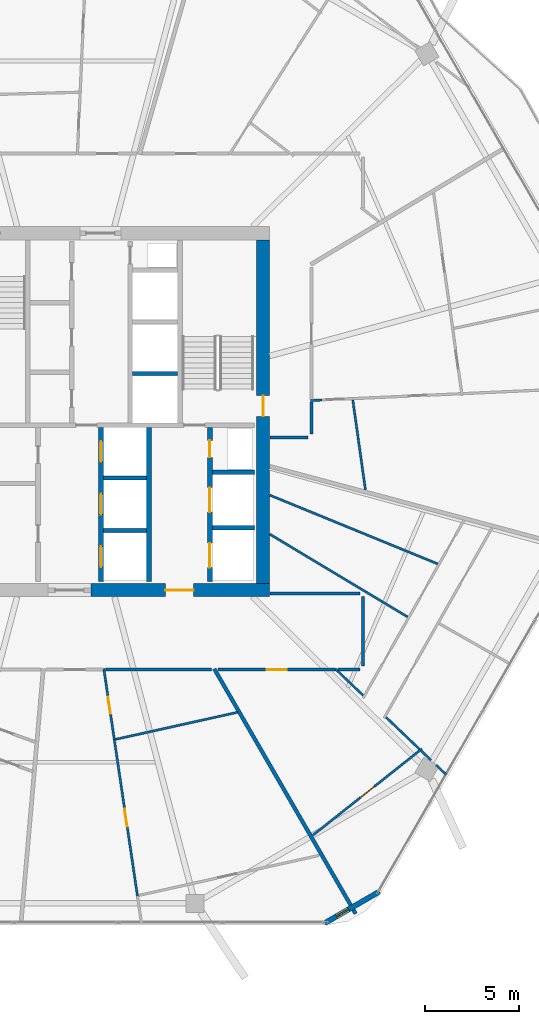
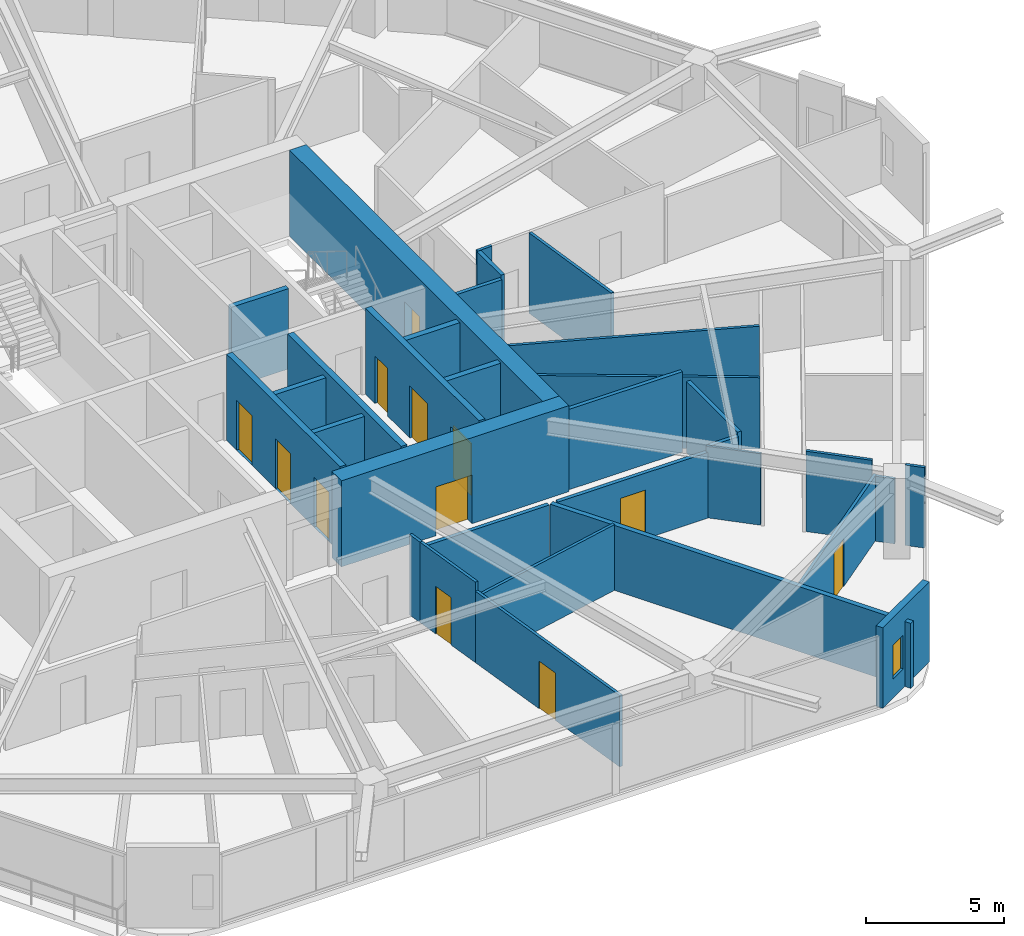
# One storey, part 20 of 26: 32 walls, 12 doors, 1 window, 13 openings.
"""IFC4 building model written with IfcOpenShell, lengths in metres."""

from ifc_helpers import new_model, si_unit, direction, frame, frame_2d, origin, place, context, subcontext, project, spatial, rectangle, extrude, material, layer, layer_set, type_object, element, fill, save


model = new_model("IFC4")

# Units and contexts
model_context = context("Model", 3, precision=1e-05, world=origin(), true_north=direction((0.0, 1.0)))
body_context = subcontext(model_context, "Body", "Model", "MODEL_VIEW")
ifc_project = project(units=[si_unit("LENGTHUNIT", "METRE"), si_unit("AREAUNIT", "SQUARE_METRE"), si_unit("VOLUMEUNIT", "CUBIC_METRE"), si_unit("PLANEANGLEUNIT", "RADIAN"), si_unit("MASSUNIT", "GRAM", prefix="KILO")], contexts=[model_context])

# Site, building, storey
site_placement = place(None, origin())
site = spatial("IfcSite", under=ifc_project, at=site_placement, CompositionType="ELEMENT")
building_placement = place(site_placement, origin())
building = spatial("IfcBuilding", under=site, at=building_placement, Name="Zuhravey Tower", CompositionType="ELEMENT")
storey_placement = place(building_placement, frame((0.0, 0.0, 203.60009765625)))
storey = spatial("IfcBuildingStorey", under=building, at=storey_placement, Name="L51", CompositionType="ELEMENT", Elevation=203.60009765625)

# Wall, opening, door
ifc_material_1 = material(Name="Concrete C60/75", Category="concrete")
ifc_layer_1 = layer(ifc_material_1, 0.699951171875)
ifc_layer_set_1 = layer_set([ifc_layer_1], Name="Concrete C60/75")
wall_type_1 = type_object("IfcWallType", Name="Core Shear Wall 700", PredefinedType="SHEAR", material=ifc_layer_set_1)
wall_1_placement = place(storey_placement, frame((37.35009765625, 22.5, 0.0), z_axis=(0.0, 0.0, 1.0), x_axis=(1.0, 0.0, 0.0)))
wall_1 = element("IfcWall", 1, at=wall_1_placement, inside=storey, type_object=wall_type_1, Name="L51 South-East Core Shear Wall CW70", PredefinedType="SHEAR", context=body_context, shape_type="SweptSolid", body=[
    extrude(rectangle(XDim=9.5, YDim=0.699951171875, at=frame_2d((4.75, 0.0))), origin(), (0.0, 0.0, 1.0), 3.7998046875),
])
opening_1_placement = place(wall_1_placement, frame((3.949951171875, 0.0, 0.0)))
opening_1 = element("IfcOpeningElement", 2, at=opening_1_placement, cuts=wall_1, Name="Opening FFD1", PredefinedType="OPENING", context=body_context, shape_type="SweptSolid", body=[
    extrude(rectangle(XDim=1.5, YDim=2.14990234375, at=frame_2d((0.75, 1.074951171875))), frame((0.0, 0.362060546875, 0.0), z_axis=(0.0, -1.0, 0.0), x_axis=(1.0, 0.0, 0.0)), (0.0, 0.0, 1.0), 0.723876953125),
])
ifc_material_2 = material(Name="Galvanised fire-rated steel leaf", Category="steel")
door_type_1 = type_object("IfcDoorType", Name="Firefighting Lobby Double Door 1500x2150", OperationType="DOUBLE_DOOR_SINGLE_SWING", PredefinedType="DOOR", material=ifc_material_2)
door_1_placement = place(opening_1_placement, origin())
door_1 = element("IfcDoor", 3, at=door_1_placement, inside=storey, type_object=door_type_1, Name="L51 Firefighting Lobby East Door", OperationType="DOUBLE_DOOR_SINGLE_SWING", OverallHeight=2.14990234375, OverallWidth=1.5, PredefinedType="DOOR", context=body_context, shape_type="SweptSolid", body=[
    extrude(rectangle(XDim=1.5, YDim=2.14990234375, at=frame_2d((0.75, 1.074951171875))), frame((0.0, 0.02490234375, 0.0), z_axis=(0.0, -1.0, 0.0), x_axis=(1.0, 0.0, 0.0)), (0.0, 0.0, 1.0), 0.050048828125),
])
fill(opening_1, door_1)

wall_2_placement = place(storey_placement, frame((46.5, 22.85009765625, 0.0), z_axis=(0.0, 0.0, 1.0), x_axis=(0.0, 1.0, 0.0)))
wall_2 = element("IfcWall", 4, at=wall_2_placement, inside=storey, type_object=wall_type_1, Name="L51 East Core Shear Wall CW70", PredefinedType="SHEAR", context=body_context, shape_type="SweptSolid", body=[
    extrude(rectangle(XDim=18.2998046875, YDim=0.699951171875, at=frame_2d((9.14990234375, 0.0))), origin(), (0.0, 0.0, 1.0), 3.7998046875),
])
opening_2_placement = place(wall_2_placement, frame((8.89990234375, 0.0, 0.0)))
opening_2 = element("IfcOpeningElement", 5, at=opening_2_placement, cuts=wall_2, Name="Opening STD1", PredefinedType="OPENING", context=body_context, shape_type="SweptSolid", body=[
    extrude(rectangle(XDim=1.10009765625, YDim=2.14990234375, at=frame_2d((0.550048828125, 1.074951171875))), frame((0.0, 0.362060546875, 0.0), z_axis=(0.0, -1.0, 0.0), x_axis=(1.0, 0.0, 0.0)), (0.0, 0.0, 1.0), 0.723876953125),
])
door_type_2 = type_object("IfcDoorType", Name="Protected Stair Fire Door 1100x2150", OperationType="NOTDEFINED", PredefinedType="USERDEFINED", material=ifc_material_2)
door_2_placement = place(opening_2_placement, origin())
door_2 = element("IfcDoor", 6, at=door_2_placement, inside=storey, type_object=door_type_2, Name="L51 Stair ST2 Door", ObjectType="EXITDOOR", OperationType="SINGLE_SWING_LEFT", OverallHeight=2.14990234375, OverallWidth=1.10009765625, PredefinedType="USERDEFINED", context=body_context, shape_type="SweptSolid", body=[
    extrude(rectangle(XDim=1.10009765625, YDim=2.14990234375, at=frame_2d((0.550048828125, 1.074951171875))), frame((0.0, 0.02490234375, 0.0), z_axis=(0.0, -1.0, 0.0), x_axis=(1.0, 0.0, 0.0)), (0.0, 0.0, 1.0), 0.050048828125),
])
fill(opening_2, door_2)

ifc_material_3 = material(Name="Gypsum fire-rated stud partition")
ifc_layer_2 = layer(ifc_material_3, 0.159912109375)
ifc_layer_set_2 = layer_set([ifc_layer_2], Name="Gypsum fire-rated stud partition")
wall_type_2 = type_object("IfcWallType", Name="Corridor Fire Partition 160", PredefinedType="PARTITIONING", material=ifc_layer_set_2)
wall_3_placement = place(storey_placement, frame((44.11083984375, 18.27001953125, 0.0), z_axis=(0.0, 0.0, 1.0), x_axis=(1.0, 0.0, 0.0)))
wall_3 = element("IfcWall", 7, at=wall_3_placement, inside=storey, type_object=wall_type_2, Name="L51 IW16 Partition 050", PredefinedType="PARTITIONING", context=body_context, shape_type="SweptSolid", body=[
    extrude(rectangle(XDim=6.248046875, YDim=0.159912109375, at=frame_2d((3.1240234375, 0.0))), origin(), (0.0, 0.0, 1.0), 2.89990234375),
])
opening_3_placement = place(wall_3_placement, frame((2.59912109375, 0.0, 0.0)))
opening_3 = element("IfcOpeningElement", 8, at=opening_3_placement, cuts=wall_3, Name="Opening APD1", PredefinedType="OPENING", context=body_context, shape_type="SweptSolid", body=[
    extrude(rectangle(XDim=1.050048828125, YDim=2.14990234375, at=frame_2d((0.52490234375, 1.074951171875))), frame((0.0, 0.092041015625, 0.0), z_axis=(0.0, -1.0, 0.0), x_axis=(1.0, 0.0, 0.0)), (0.0, 0.0, 1.0), 0.183837890625),
])
ifc_material_4 = material(Name="Solid-core oak fire-rated leaf")
door_type_3 = type_object("IfcDoorType", Name="Apartment Entrance Fire Door 1050x2150", OperationType="NOTDEFINED", PredefinedType="DOOR", material=ifc_material_4)
door_3_placement = place(opening_3_placement, frame((1.050048828125, 0.0, 0.0), z_axis=(0.0, 0.0, 1.0), x_axis=(-1.0, 0.0, 0.0)))
door_3 = element("IfcDoor", 9, at=door_3_placement, inside=storey, type_object=door_type_3, Name="L51 Door 050.1", OperationType="SINGLE_SWING_RIGHT", OverallHeight=2.14990234375, OverallWidth=1.050048828125, PredefinedType="DOOR", context=body_context, shape_type="SweptSolid", body=[
    extrude(rectangle(XDim=1.050048828125, YDim=2.14990234375, at=frame_2d((0.52490234375, 1.074951171875))), frame((0.0, 0.02490234375, 0.0), z_axis=(0.0, -1.0, 0.0), x_axis=(1.0, 0.0, 0.0)), (0.0, 0.0, 1.0), 0.050048828125),
])
fill(opening_3, door_3)

# Walls
wall_4_placement = place(storey_placement, frame((38.10107421875, 18.27001953125, 0.0), z_axis=(0.0, 0.0, 1.0), x_axis=(1.0, 0.0, 0.0)))
element("IfcWall", 10, at=wall_4_placement, inside=storey, type_object=wall_type_2, Name="L51 IW16 Partition 134", PredefinedType="PARTITIONING", context=body_context, shape_type="SweptSolid", body=[
    extrude(rectangle(XDim=5.64404296875, YDim=0.159912109375, at=frame_2d((2.822021484375, 0.0))), origin(), (0.0, 0.0, 1.0), 2.89990234375),
])
wall_5_placement = place(storey_placement, frame((51.64990234375, 22.330078125, 0.0), z_axis=(0.0, 0.0, 1.0), x_axis=(-1.0, 0.0, 0.0)))
element("IfcWall", 11, at=wall_5_placement, inside=storey, type_object=wall_type_2, Name="L51 IW16 Partition 135", PredefinedType="PARTITIONING", context=body_context, shape_type="SweptSolid", body=[
    extrude(rectangle(XDim=4.77978515625, YDim=0.159912109375, at=frame_2d((2.389892578125, 0.0))), origin(), (0.0, 0.0, 1.0), 3.5498046875),
])
wall_6_placement = place(storey_placement, frame((51.830078125, 18.449951171875, 0.0), z_axis=(0.0, 0.0, 1.0), x_axis=(0.0, 1.0, 0.0)))
element("IfcWall", 12, at=wall_6_placement, inside=storey, type_object=wall_type_2, Name="L51 IW16 Partition 136", PredefinedType="PARTITIONING", context=body_context, shape_type="SweptSolid", body=[
    extrude(rectangle(XDim=3.699951171875, YDim=0.159912109375, at=frame_2d((1.85009765625, 0.0))), origin(), (0.0, 0.0, 1.0), 3.14990234375),
])
wall_7_placement = place(storey_placement, frame((50.486083984375, 18.27001953125, 0.0), z_axis=(0.0, 0.0, 1.0), x_axis=(1.0, 0.0, 0.0)))
element("IfcWall", 13, at=wall_7_placement, inside=storey, type_object=wall_type_2, Name="L51 IW16 Partition 137", PredefinedType="PARTITIONING", context=body_context, shape_type="SweptSolid", body=[
    extrude(rectangle(XDim=1.163818359375, YDim=0.159912109375, at=frame_2d((0.58203125, 0.0))), origin(), (0.0, 0.0, 1.0), 3.14990234375),
])
wall_8_placement = place(storey_placement, frame((46.8701171875, 30.6201171875, 0.0), z_axis=(0.0, 0.0, 1.0), x_axis=(1.0, 0.0, 0.0)))
element("IfcWall", 14, at=wall_8_placement, inside=storey, type_object=wall_type_2, Name="L51 IW16 Partition 138", PredefinedType="PARTITIONING", context=body_context, shape_type="SweptSolid", body=[
    extrude(rectangle(XDim=2.02978515625, YDim=0.159912109375, at=frame_2d((1.014892578125, 0.0))), origin(), (0.0, 0.0, 1.0), 3.5498046875),
])
wall_9_placement = place(storey_placement, frame((49.080078125, 30.800048828125, 0.0), z_axis=(0.0, 0.0, 1.0), x_axis=(0.0, 1.0, 0.0)))
element("IfcWall", 15, at=wall_9_placement, inside=storey, type_object=wall_type_2, Name="L51 IW16 Partition 139", PredefinedType="PARTITIONING", context=body_context, shape_type="SweptSolid", body=[
    extrude(rectangle(XDim=1.725830078125, YDim=0.159912109375, at=frame_2d((0.86279296875, 0.0))), origin(), (0.0, 0.0, 1.0), 3.5498046875),
])

# Wall, opening, window
ifc_material_5 = material(Name="Precast concrete C40/50", Category="concrete")
ifc_layer_3 = layer(ifc_material_5, 0.280029296875)
ifc_layer_set_3 = layer_set([ifc_layer_3], Name="Precast concrete C40/50")
wall_type_3 = type_object("IfcWallType", Name="Crown Architectural Wall 280", PredefinedType="SOLIDWALL", material=ifc_layer_set_3)
wall_10_placement = place(storey_placement, frame((52.693115234375, 6.451904296875, 0.0), z_axis=(0.0, 0.0, 1.0), x_axis=(-0.866020068361, -0.500009241111, 0.0)))
wall_10 = element("IfcWall", 16, at=wall_10_placement, inside=storey, type_object=wall_type_3, Name="L51 Rounded Corner Closure Wall EW28-02", PredefinedType="SOLIDWALL", context=body_context, shape_type="SweptSolid", body=[
    extrude(rectangle(XDim=3.365234375, YDim=0.280029296875, at=frame_2d((1.6826171875, 0.0))), origin(), (0.0, 0.0, 1.0), 3.5498046875),
])
opening_4_placement = place(wall_10_placement, frame((1.896240234375, 0.0, 0.85009765625)))
opening_4 = element("IfcOpeningElement", 17, at=opening_4_placement, cuts=wall_10, Name="Opening WN5", PredefinedType="OPENING", context=body_context, shape_type="SweptSolid", body=[
    extrude(rectangle(XDim=0.75, YDim=1.5, at=frame_2d((0.375, 0.75))), frame((0.0, 0.152099609375, 0.0), z_axis=(0.0, -1.0, 0.0), x_axis=(1.0, 0.0, 0.0)), (0.0, 0.0, 1.0), 0.303955078125),
])
ifc_material_6 = material(Name="Thermally broken aluminium and triple low-E glass", Category="aluminium")
window_type = type_object("IfcWindowType", Name="Residential Corner Casement Window 750x1500", PartitioningType="SINGLE_PANEL", PredefinedType="WINDOW", material=ifc_material_6)
window_placement = place(opening_4_placement, origin())
window = element("IfcWindow", 18, at=window_placement, inside=storey, type_object=window_type, Name="L51 Corner Casement Window WN5-02.1", OverallHeight=1.5, OverallWidth=0.75, PartitioningType="SINGLE_PANEL", PredefinedType="WINDOW", context=body_context, shape_type="SweptSolid", body=[
    extrude(rectangle(XDim=0.75, YDim=1.5, at=frame_2d((0.375, 0.75))), frame((0.0, 0.030029296875, 0.0), z_axis=(0.0, -1.0, 0.0), x_axis=(1.0, 0.0, 0.0)), (0.0, 0.0, 1.0), 0.06005859375),
])
fill(opening_4, window)

# Wall, openings, doors
ifc_material_7 = material(Name="Concrete C50/60", Category="concrete")
ifc_layer_4 = layer(ifc_material_7, 0.25)
ifc_layer_set_4 = layer_set([ifc_layer_4], Name="Concrete C50/60")
wall_type_4 = type_object("IfcWallType", Name="Firefighting Shaft & Stair Wall 250", PredefinedType="SOLIDWALL", material=ifc_layer_set_4)
wall_11_placement = place(storey_placement, frame((37.875, 22.949951171875, 0.0), z_axis=(0.0, 0.0, 1.0), x_axis=(0.0, 1.0, 0.0)))
wall_11 = element("IfcWall", 19, at=wall_11_placement, inside=storey, type_object=wall_type_4, Name="L51 FW25 Shaft Wall 014", PredefinedType="SOLIDWALL", context=body_context, shape_type="SweptSolid", body=[
    extrude(rectangle(XDim=8.199951171875, YDim=0.25, at=frame_2d((4.10009765625, 0.0))), origin(), (0.0, 0.0, 1.0), 3.7998046875),
])
opening_5_placement = place(wall_11_placement, frame((0.77490234375, 0.0, 0.0)))
opening_5 = element("IfcOpeningElement", 20, at=opening_5_placement, cuts=wall_11, Name="Opening LD1", PredefinedType="OPENING", context=body_context, shape_type="SweptSolid", body=[
    extrude(rectangle(XDim=1.10009765625, YDim=2.199951171875, at=frame_2d((0.550048828125, 1.10009765625))), frame((0.0, 0.136962890625, 0.0), z_axis=(0.0, -1.0, 0.0), x_axis=(1.0, 0.0, 0.0)), (0.0, 0.0, 1.0), 0.27392578125),
])
opening_6_placement = place(wall_11_placement, frame((3.574951171875, 0.0, 0.0)))
opening_6 = element("IfcOpeningElement", 21, at=opening_6_placement, cuts=wall_11, Name="Opening LD1", PredefinedType="OPENING", context=body_context, shape_type="SweptSolid", body=[
    extrude(rectangle(XDim=1.10009765625, YDim=2.199951171875, at=frame_2d((0.550048828125, 1.10009765625))), frame((0.0, 0.136962890625, 0.0), z_axis=(0.0, -1.0, 0.0), x_axis=(1.0, 0.0, 0.0)), (0.0, 0.0, 1.0), 0.27392578125),
])
opening_7_placement = place(wall_11_placement, frame((6.375, 0.0, 0.0)))
opening_7 = element("IfcOpeningElement", 22, at=opening_7_placement, cuts=wall_11, Name="Opening LD1", PredefinedType="OPENING", context=body_context, shape_type="SweptSolid", body=[
    extrude(rectangle(XDim=1.10009765625, YDim=2.199951171875, at=frame_2d((0.550048828125, 1.10009765625))), frame((0.0, 0.136962890625, 0.0), z_axis=(0.0, -1.0, 0.0), x_axis=(1.0, 0.0, 0.0)), (0.0, 0.0, 1.0), 0.27392578125),
])
ifc_material_8 = material(Name="Brushed stainless steel", Category="steel")
door_type_4 = type_object("IfcDoorType", Name="Lift Landing Sliding Door 1100x2200", OperationType="DOUBLE_DOOR_SLIDING", PredefinedType="DOOR", material=ifc_material_8)
door_4_placement = place(opening_5_placement, origin())
door_4 = element("IfcDoor", 23, at=door_4_placement, inside=storey, type_object=door_type_4, Name="L51 Lift PL4 Landing Door", OperationType="DOUBLE_DOOR_SLIDING", OverallHeight=2.199951171875, OverallWidth=1.10009765625, PredefinedType="DOOR", context=body_context, shape_type="SweptSolid", body=[
    extrude(rectangle(XDim=1.10009765625, YDim=2.199951171875, at=frame_2d((0.550048828125, 1.10009765625))), frame((0.0, 0.02490234375, 0.0), z_axis=(0.0, -1.0, 0.0), x_axis=(1.0, 0.0, 0.0)), (0.0, 0.0, 1.0), 0.050048828125),
])
fill(opening_5, door_4)
door_5_placement = place(opening_6_placement, origin())
door_5 = element("IfcDoor", 24, at=door_5_placement, inside=storey, type_object=door_type_4, Name="L51 Lift PL5 Landing Door", OperationType="DOUBLE_DOOR_SLIDING", OverallHeight=2.199951171875, OverallWidth=1.10009765625, PredefinedType="DOOR", context=body_context, shape_type="SweptSolid", body=[
    extrude(rectangle(XDim=1.10009765625, YDim=2.199951171875, at=frame_2d((0.550048828125, 1.10009765625))), frame((0.0, 0.02490234375, 0.0), z_axis=(0.0, -1.0, 0.0), x_axis=(1.0, 0.0, 0.0)), (0.0, 0.0, 1.0), 0.050048828125),
])
fill(opening_6, door_5)
door_6_placement = place(opening_7_placement, origin())
door_6 = element("IfcDoor", 25, at=door_6_placement, inside=storey, type_object=door_type_4, Name="L51 Lift PL6 Landing Door", OperationType="DOUBLE_DOOR_SLIDING", OverallHeight=2.199951171875, OverallWidth=1.10009765625, PredefinedType="DOOR", context=body_context, shape_type="SweptSolid", body=[
    extrude(rectangle(XDim=1.10009765625, YDim=2.199951171875, at=frame_2d((0.550048828125, 1.10009765625))), frame((0.0, 0.02490234375, 0.0), z_axis=(0.0, -1.0, 0.0), x_axis=(1.0, 0.0, 0.0)), (0.0, 0.0, 1.0), 0.050048828125),
])
fill(opening_7, door_6)

# Walls
wall_12_placement = place(storey_placement, frame((40.425048828125, 22.949951171875, 0.0), z_axis=(0.0, 0.0, 1.0), x_axis=(0.0, 1.0, 0.0)))
element("IfcWall", 26, at=wall_12_placement, inside=storey, type_object=wall_type_4, Name="L51 FW25 Shaft Wall 015", PredefinedType="SOLIDWALL", context=body_context, shape_type="SweptSolid", body=[
    extrude(rectangle(XDim=8.199951171875, YDim=0.25, at=frame_2d((4.10009765625, 0.0))), origin(), (0.0, 0.0, 1.0), 3.7998046875),
])
for number, where, z_axis, x_axis, name in (
    (27, (43.800048828125, 25.824951171875, 0.0), (0.0, 0.0, 1.0), (1.0, 0.0, 0.0), "L51 FW25 Shaft Wall 016"),
    (28, (43.800048828125, 28.77490234375, 0.0), (0.0, 0.0, 1.0), (1.0, 0.0, 0.0), "L51 FW25 Shaft Wall 017"),
):
    element("IfcWall", number, at=place(storey_placement, frame(where, z_axis=z_axis, x_axis=x_axis)), inside=storey, type_object=wall_type_4, Name=name, PredefinedType="SOLIDWALL", context=body_context, shape_type="SweptSolid", body=[
        extrude(rectangle(XDim=2.25, YDim=0.25, at=frame_2d((1.125, 0.0))), origin(), (0.0, 0.0, 1.0), 3.7998046875),
    ])

# Wall, openings, doors
wall_13_placement = place(storey_placement, frame((43.675048828125, 22.949951171875, 0.0), z_axis=(0.0, 0.0, 1.0), x_axis=(0.0, 1.0, 0.0)))
wall_13 = element("IfcWall", 29, at=wall_13_placement, inside=storey, type_object=wall_type_4, Name="L51 FW25 Shaft Wall 018", PredefinedType="SOLIDWALL", context=body_context, shape_type="SweptSolid", body=[
    extrude(rectangle(XDim=8.199951171875, YDim=0.25, at=frame_2d((4.10009765625, 0.0))), origin(), (0.0, 0.0, 1.0), 3.7998046875),
])
opening_8_placement = place(wall_13_placement, frame((0.75, 0.0, 0.0)))
opening_8 = element("IfcOpeningElement", 30, at=opening_8_placement, cuts=wall_13, Name="Opening LD2", PredefinedType="OPENING", context=body_context, shape_type="SweptSolid", body=[
    extrude(rectangle(XDim=1.300048828125, YDim=2.300048828125, at=frame_2d((0.64990234375, 1.14990234375))), frame((0.0, 0.136962890625, 0.0), z_axis=(0.0, -1.0, 0.0), x_axis=(1.0, 0.0, 0.0)), (0.0, 0.0, 1.0), 0.27392578125),
])
opening_9_placement = place(wall_13_placement, frame((3.699951171875, 0.0, 0.0)))
opening_9 = element("IfcOpeningElement", 31, at=opening_9_placement, cuts=wall_13, Name="Opening LD2", PredefinedType="OPENING", context=body_context, shape_type="SweptSolid", body=[
    extrude(rectangle(XDim=1.300048828125, YDim=2.300048828125, at=frame_2d((0.64990234375, 1.14990234375))), frame((0.0, 0.136962890625, 0.0), z_axis=(0.0, -1.0, 0.0), x_axis=(1.0, 0.0, 0.0)), (0.0, 0.0, 1.0), 0.27392578125),
])
opening_10_placement = place(wall_13_placement, frame((6.6201171875, 0.0, 0.0)))
opening_10 = element("IfcOpeningElement", 32, at=opening_10_placement, cuts=wall_13, Name="Opening RSD1", PredefinedType="OPENING", context=body_context, shape_type="SweptSolid", body=[
    extrude(rectangle(XDim=0.89990234375, YDim=2.10009765625, at=frame_2d((0.449951171875, 1.050048828125))), frame((0.0, 0.136962890625, 0.0), z_axis=(0.0, -1.0, 0.0), x_axis=(1.0, 0.0, 0.0)), (0.0, 0.0, 1.0), 0.27392578125),
])
door_type_5 = type_object("IfcDoorType", Name="Freight & Stretcher Lift Sliding Door 1300x2300", OperationType="DOUBLE_DOOR_SLIDING", PredefinedType="DOOR", material=ifc_material_8)
door_7_placement = place(opening_8_placement, origin())
door_7 = element("IfcDoor", 33, at=door_7_placement, inside=storey, type_object=door_type_5, Name="L51 Lift FF2 Landing Door", OperationType="DOUBLE_DOOR_SLIDING", OverallHeight=2.300048828125, OverallWidth=1.300048828125, PredefinedType="DOOR", context=body_context, shape_type="SweptSolid", body=[
    extrude(rectangle(XDim=1.300048828125, YDim=2.300048828125, at=frame_2d((0.64990234375, 1.14990234375))), frame((0.0, 0.02490234375, 0.0), z_axis=(0.0, -1.0, 0.0), x_axis=(1.0, 0.0, 0.0)), (0.0, 0.0, 1.0), 0.050048828125),
])
fill(opening_8, door_7)
door_8_placement = place(opening_9_placement, origin())
door_8 = element("IfcDoor", 34, at=door_8_placement, inside=storey, type_object=door_type_5, Name="L51 Lift SV1 Landing Door", OperationType="DOUBLE_DOOR_SLIDING", OverallHeight=2.300048828125, OverallWidth=1.300048828125, PredefinedType="DOOR", context=body_context, shape_type="SweptSolid", body=[
    extrude(rectangle(XDim=1.300048828125, YDim=2.300048828125, at=frame_2d((0.64990234375, 1.14990234375))), frame((0.0, 0.02490234375, 0.0), z_axis=(0.0, -1.0, 0.0), x_axis=(1.0, 0.0, 0.0)), (0.0, 0.0, 1.0), 0.050048828125),
])
fill(opening_9, door_8)
ifc_material_9 = material(Name="Galvanised fire-rated steel access leaf", Category="steel")
door_type_6 = type_object("IfcDoorType", Name="Riser & Shaft Access Fire Door 900x2100", OperationType="NOTDEFINED", PredefinedType="DOOR", material=ifc_material_9)
door_9_placement = place(opening_10_placement, origin())
door_9 = element("IfcDoor", 35, at=door_9_placement, inside=storey, type_object=door_type_6, Name="L51 Plumbing Riser Door", OperationType="SINGLE_SWING_RIGHT", OverallHeight=2.10009765625, OverallWidth=0.89990234375, PredefinedType="DOOR", context=body_context, shape_type="SweptSolid", body=[
    extrude(rectangle(XDim=0.89990234375, YDim=2.10009765625, at=frame_2d((0.449951171875, 1.050048828125))), frame((0.0, 0.02490234375, 0.0), z_axis=(0.0, -1.0, 0.0), x_axis=(1.0, 0.0, 0.0)), (0.0, 0.0, 1.0), 0.050048828125),
])
fill(opening_10, door_9)

# Walls
ifc_material_10 = material(Name="Gypsum double-stud party assembly")
ifc_layer_5 = layer(ifc_material_10, 0.199951171875)
ifc_layer_set_5 = layer_set([ifc_layer_5], Name="Gypsum double-stud party assembly")
wall_type_5 = type_object("IfcWallType", Name="Inter-Tenancy Party Wall 200", PredefinedType="PARTITIONING", material=ifc_layer_set_5)
wall_14_placement = place(storey_placement, frame((43.90380859375, 18.31005859375, 0.0), z_axis=(0.0, 0.0, 1.0), x_axis=(0.500007038605, -0.866021340006, 0.0)))
element("IfcWall", 36, at=wall_14_placement, inside=storey, type_object=wall_type_5, Name="L51 IW20 Partition 105", PredefinedType="PARTITIONING", context=body_context, shape_type="SweptSolid", body=[
    extrude(rectangle(XDim=15.050048828125, YDim=0.199951171875, at=frame_2d((7.52490234375, 0.0))), origin(), (0.0, 0.0, 1.0), 2.869873046875),
])
ifc_material_11 = material(Name="Gypsum acoustic stud assembly")
ifc_layer_6 = layer(ifc_material_11, 0.219970703125)
ifc_layer_set_6 = layer_set([ifc_layer_6], Name="Gypsum acoustic stud assembly")
wall_type_6 = type_object("IfcWallType", Name="School Acoustic Compartment Wall 220", PredefinedType="PARTITIONING", material=ifc_layer_set_6)
wall_15_placement = place(storey_placement, frame((39.55810546875, 34.02490234375, 0.0), z_axis=(0.0, 0.0, 1.0), x_axis=(1.0, 0.0, 0.0)))
element("IfcWall", 37, at=wall_15_placement, inside=storey, type_object=wall_type_6, Name="L51 IW22 Partition 059", PredefinedType="PARTITIONING", context=body_context, shape_type="SweptSolid", body=[
    extrude(rectangle(XDim=2.3837890625, YDim=0.219970703125, at=frame_2d((1.19189453125, 0.0))), origin(), (0.0, 0.0, 1.0), 3.5498046875),
])
for number, where, z_axis, x_axis, name in (
    (38, (38.008056640625, 25.675048828125, 0.0), (0.0, 0.0, 1.0), (1.0, 0.0, 0.0), "L51 IW22 Partition 063"),
    (39, (38.008056640625, 28.47509765625, 0.0), (0.0, 0.0, 1.0), (1.0, 0.0, 0.0), "L51 IW22 Partition 064"),
):
    element("IfcWall", number, at=place(storey_placement, frame(where, z_axis=z_axis, x_axis=x_axis)), inside=storey, type_object=wall_type_6, Name=name, PredefinedType="PARTITIONING", context=body_context, shape_type="SweptSolid", body=[
        extrude(rectangle(XDim=2.283935546875, YDim=0.219970703125, at=frame_2d((1.14208984375, 0.0))), origin(), (0.0, 0.0, 1.0), 3.5498046875),
    ])

# Wall, opening, door
ifc_material_12 = material(Name="Gypsum metal-stud partition")
ifc_layer_7 = layer(ifc_material_12, 0.1201171875)
ifc_layer_set_7 = layer_set([ifc_layer_7], Name="Gypsum metal-stud partition")
wall_type_7 = type_object("IfcWallType", Name="Unit Internal Partition 120", PredefinedType="PARTITIONING", material=ifc_layer_set_7)
wall_16_placement = place(storey_placement, frame((38.11669921875, 17.699951171875, 0.0), z_axis=(0.0, 0.0, 1.0), x_axis=(0.146444162785, -0.989218937944, 0.0)))
wall_16 = element("IfcWall", 40, at=wall_16_placement, inside=storey, type_object=wall_type_7, Name="L51 IW12 Partition 043", PredefinedType="PARTITIONING", context=body_context, shape_type="SweptSolid", body=[
    extrude(rectangle(XDim=3.217529296875, YDim=0.1201171875, at=frame_2d((1.60888671875, 0.0))), origin(), (0.0, 0.0, 1.0), 3.5498046875),
])
opening_11_placement = place(wall_16_placement, frame((0.9013671875, 0.0, 0.0)))
opening_11 = element("IfcOpeningElement", 41, at=opening_11_placement, cuts=wall_16, Name="Opening WCD1", PredefinedType="OPENING", context=body_context, shape_type="SweptSolid", body=[
    extrude(rectangle(XDim=0.89990234375, YDim=2.10009765625, at=frame_2d((0.449951171875, 1.050048828125))), frame((0.0, 0.072021484375, 0.0), z_axis=(0.0, -1.0, 0.0), x_axis=(1.0, 0.0, 0.0)), (0.0, 0.0, 1.0), 0.14404296875),
])
ifc_material_13 = material(Name="Moisture-resistant timber leaf", Category="wood")
door_type_7 = type_object("IfcDoorType", Name="Bathroom & WC Internal Door 900x2100", OperationType="NOTDEFINED", PredefinedType="DOOR", material=ifc_material_13)
door_10_placement = place(opening_11_placement, origin())
door_10 = element("IfcDoor", 42, at=door_10_placement, inside=storey, type_object=door_type_7, Name="Apartment L51-07 Bathroom Door", OperationType="SINGLE_SWING_RIGHT", OverallHeight=2.10009765625, OverallWidth=0.89990234375, PredefinedType="DOOR", context=body_context, shape_type="SweptSolid", body=[
    extrude(rectangle(XDim=0.89990234375, YDim=2.10009765625, at=frame_2d((0.449951171875, 1.050048828125))), frame((0.0, 0.02490234375, 0.0), z_axis=(0.0, -1.0, 0.0), x_axis=(1.0, 0.0, 0.0)), (0.0, 0.0, 1.0), 0.050048828125),
])
fill(opening_11, door_10)

wall_17_placement = place(storey_placement, frame((38.587890625, 14.51708984375, 0.0), z_axis=(0.0, 0.0, 1.0), x_axis=(0.146416974586, -0.989222962508, 0.0)))
wall_17 = element("IfcWall", 43, at=wall_17_placement, inside=storey, type_object=wall_type_7, Name="L51 IW12 Partition 044", PredefinedType="PARTITIONING", context=body_context, shape_type="SweptSolid", body=[
    extrude(rectangle(XDim=8.39892578125, YDim=0.1201171875, at=frame_2d((4.199462890625, 0.0))), origin(), (0.0, 0.0, 1.0), 3.14990234375),
])
opening_12_placement = place(wall_17_placement, frame((3.699462890625, 0.0, 0.0)))
opening_12 = element("IfcOpeningElement", 44, at=opening_12_placement, cuts=wall_17, Name="Opening IND1", PredefinedType="OPENING", context=body_context, shape_type="SweptSolid", body=[
    extrude(rectangle(XDim=0.949951171875, YDim=2.10009765625, at=frame_2d((0.47509765625, 1.050048828125))), frame((0.0, 0.072021484375, 0.0), z_axis=(0.0, -1.0, 0.0), x_axis=(1.0, 0.0, 0.0)), (0.0, 0.0, 1.0), 0.14404296875),
])
ifc_material_14 = material(Name="Painted engineered timber leaf", Category="wood")
door_type_8 = type_object("IfcDoorType", Name="Internal Room & Bedroom Door 950x2100", OperationType="NOTDEFINED", PredefinedType="DOOR", material=ifc_material_14)
door_11_placement = place(opening_12_placement, origin())
door_11 = element("IfcDoor", 45, at=door_11_placement, inside=storey, type_object=door_type_8, Name="Apartment L51-07 Home Office Door", OperationType="SINGLE_SWING_LEFT", OverallHeight=2.10009765625, OverallWidth=0.949951171875, PredefinedType="DOOR", context=body_context, shape_type="SweptSolid", body=[
    extrude(rectangle(XDim=0.949951171875, YDim=2.10009765625, at=frame_2d((0.47509765625, 1.050048828125))), frame((0.0, 0.02490234375, 0.0), z_axis=(0.0, -1.0, 0.0), x_axis=(1.0, 0.0, 0.0)), (0.0, 0.0, 1.0), 0.050048828125),
])
fill(opening_12, door_11)

wall_18_placement = place(storey_placement, frame((49.162109375, 9.4580078125, 0.0), z_axis=(0.0, 0.0, 1.0), x_axis=(0.783468844614, 0.621431065782, 0.0)))
wall_18 = element("IfcWall", 46, at=wall_18_placement, inside=storey, type_object=wall_type_7, Name="L51 IW12 Partition 047", PredefinedType="PARTITIONING", context=body_context, shape_type="SweptSolid", body=[
    extrude(rectangle(XDim=7.391845703125, YDim=0.1201171875, at=frame_2d((3.69580078125, 0.0))), origin(), (0.0, 0.0, 1.0), 2.869873046875),
])
opening_13_placement = place(wall_18_placement, frame((3.220703125, 0.0, 0.0)))
opening_13 = element("IfcOpeningElement", 47, at=opening_13_placement, cuts=wall_18, Name="Opening IND1", PredefinedType="OPENING", context=body_context, shape_type="SweptSolid", body=[
    extrude(rectangle(XDim=0.949951171875, YDim=2.10009765625, at=frame_2d((0.47509765625, 1.050048828125))), frame((0.0, 0.072021484375, 0.0), z_axis=(0.0, -1.0, 0.0), x_axis=(1.0, 0.0, 0.0)), (0.0, 0.0, 1.0), 0.14404296875),
])
door_12_placement = place(opening_13_placement, frame((0.949951171875, 0.0, 0.0), z_axis=(0.0, 0.0, 1.0), x_axis=(-1.0, 0.0, 0.0)))
door_12 = element("IfcDoor", 48, at=door_12_placement, inside=storey, type_object=door_type_8, Name="Apartment L51-08 Family Study Door", OperationType="SINGLE_SWING_RIGHT", OverallHeight=2.10009765625, OverallWidth=0.949951171875, PredefinedType="DOOR", context=body_context, shape_type="SweptSolid", body=[
    extrude(rectangle(XDim=0.949951171875, YDim=2.10009765625, at=frame_2d((0.47509765625, 1.050048828125))), frame((0.0, 0.02490234375, 0.0), z_axis=(0.0, -1.0, 0.0), x_axis=(1.0, 0.0, 0.0)), (0.0, 0.0, 1.0), 0.050048828125),
])
fill(opening_13, door_12)

# Walls
wall_19_placement = place(storey_placement, frame((38.025634765625, 18.314697265625, 0.0), z_axis=(0.0, 0.0, 1.0), x_axis=(0.146534423424, -0.989205571533, 0.0)))
element("IfcWall", 49, at=wall_19_placement, inside=storey, type_object=wall_type_7, Name="L51 IW12 Partition 102", PredefinedType="PARTITIONING", context=body_context, shape_type="SweptSolid", body=[
    extrude(rectangle(XDim=0.621337890625, YDim=0.1201171875, at=frame_2d((0.310546875, 0.0))), origin(), (0.0, 0.0, 1.0), 3.5498046875),
])
wall_20_placement = place(storey_placement, frame((38.65087890625, 14.556640625, 0.0), z_axis=(0.0, 0.0, 1.0), x_axis=(0.976292815714, 0.21645400894, 0.0)))
element("IfcWall", 50, at=wall_20_placement, inside=storey, type_object=wall_type_7, Name="L51 IW12 Partition 104", PredefinedType="PARTITIONING", context=body_context, shape_type="SweptSolid", body=[
    extrude(rectangle(XDim=6.673828125, YDim=0.1201171875, at=frame_2d((3.3369140625, 0.0))), origin(), (0.0, 0.0, 1.0), 2.89990234375),
])
wall_21_placement = place(storey_placement, frame((46.85791015625, 25.47900390625, 0.0), z_axis=(0.0, 0.0, 1.0), x_axis=(0.857273931948, -0.514860569089, 0.0)))
element("IfcWall", 51, at=wall_21_placement, inside=storey, type_object=wall_type_7, Name="L51 IW12 Partition 106", PredefinedType="PARTITIONING", context=body_context, shape_type="SweptSolid", body=[
    extrude(rectangle(XDim=8.56103515625, YDim=0.1201171875, at=frame_2d((4.280517578125, 0.0))), origin(), (0.0, 0.0, 1.0), 3.14990234375),
])
wall_22_placement = place(storey_placement, frame((46.85791015625, 27.555908203125, 0.0), z_axis=(0.0, 0.0, 1.0), x_axis=(0.925490196585, -0.378771561795, 0.0)))
element("IfcWall", 52, at=wall_22_placement, inside=storey, type_object=wall_type_7, Name="L51 IW12 Partition 107", PredefinedType="PARTITIONING", context=body_context, shape_type="SweptSolid", body=[
    extrude(rectangle(XDim=9.66259765625, YDim=0.1201171875, at=frame_2d((4.831298828125, 0.0))), origin(), (0.0, 0.0, 1.0), 3.14990234375),
])
wall_23_placement = place(storey_placement, frame((50.35888671875, 18.297607421875, 0.0), z_axis=(0.0, 0.0, 1.0), x_axis=(0.723451106681, -0.690375619675, 0.0)))
element("IfcWall", 53, at=wall_23_placement, inside=storey, type_object=wall_type_7, Name="L51 IW12 Partition 109", PredefinedType="PARTITIONING", context=body_context, shape_type="SweptSolid", body=[
    extrude(rectangle(XDim=2.02978515625, YDim=0.1201171875, at=frame_2d((1.014892578125, 0.0))), origin(), (0.0, 0.0, 1.0), 3.14990234375),
])
wall_24_placement = place(storey_placement, frame((53.047607421875, 15.731689453125, 0.0), z_axis=(0.0, 0.0, 1.0), x_axis=(0.723414212857, -0.690414278992, 0.0)))
element("IfcWall", 54, at=wall_24_placement, inside=storey, type_object=wall_type_7, Name="L51 IW12 Partition 110", PredefinedType="PARTITIONING", context=body_context, shape_type="SweptSolid", body=[
    extrude(rectangle(XDim=2.456298828125, YDim=0.1201171875, at=frame_2d((1.22802734375, 0.0))), origin(), (0.0, 0.0, 1.0), 3.5498046875),
])
wall_25_placement = place(storey_placement, frame((54.923828125, 13.941162109375, 0.0), z_axis=(0.0, 0.0, 1.0), x_axis=(0.723503085089, -0.690321146907, 0.0)))
element("IfcWall", 55, at=wall_25_placement, inside=storey, type_object=wall_type_7, Name="L51 IW12 Partition 111", PredefinedType="PARTITIONING", context=body_context, shape_type="SweptSolid", body=[
    extrude(rectangle(XDim=0.713623046875, YDim=0.1201171875, at=frame_2d((0.35693359375, 0.0))), origin(), (0.0, 0.0, 1.0), 2.869873046875),
])
wall_26_placement = place(storey_placement, frame((55.720458984375, 13.180908203125, 0.0), z_axis=(0.0, 0.0, 1.0), x_axis=(0.723584936245, -0.690235351195, 0.0)))
element("IfcWall", 56, at=wall_26_placement, inside=storey, type_object=wall_type_7, Name="L51 IW12 Partition 112", PredefinedType="PARTITIONING", context=body_context, shape_type="SweptSolid", body=[
    extrude(rectangle(XDim=0.724853515625, YDim=0.1201171875, at=frame_2d((0.3623046875, 0.0))), origin(), (0.0, 0.0, 1.0), 3.5498046875),
])
wall_27_placement = place(storey_placement, frame((49.034912109375, 32.591796875, 0.0), z_axis=(0.0, 0.0, 1.0), x_axis=(0.998959526244, 0.045605536133, 0.0)))
element("IfcWall", 57, at=wall_27_placement, inside=storey, type_object=wall_type_7, Name="L51 IW12 Partition 116", PredefinedType="PARTITIONING", context=body_context, shape_type="SweptSolid", body=[
    extrude(rectangle(XDim=0.61572265625, YDim=0.1201171875, at=frame_2d((0.307861328125, 0.0))), origin(), (0.0, 0.0, 1.0), 3.5498046875),
])
wall_28_placement = place(storey_placement, frame((51.950439453125, 27.837890625, 0.0), z_axis=(0.0, 0.0, 1.0), x_axis=(-0.139165856078, 0.990269086916, 0.0)))
element("IfcWall", 58, at=wall_28_placement, inside=storey, type_object=wall_type_7, Name="L51 IW12 Partition 118", PredefinedType="PARTITIONING", context=body_context, shape_type="SweptSolid", body=[
    extrude(rectangle(XDim=4.8349609375, YDim=0.1201171875, at=frame_2d((2.41748046875, 0.0))), origin(), (0.0, 0.0, 1.0), 3.5498046875),
])

save(model, "model.ifc")
